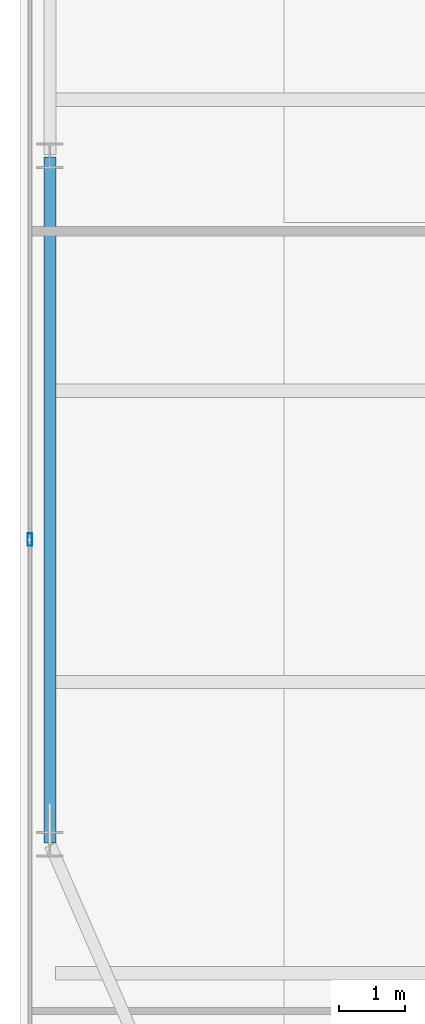
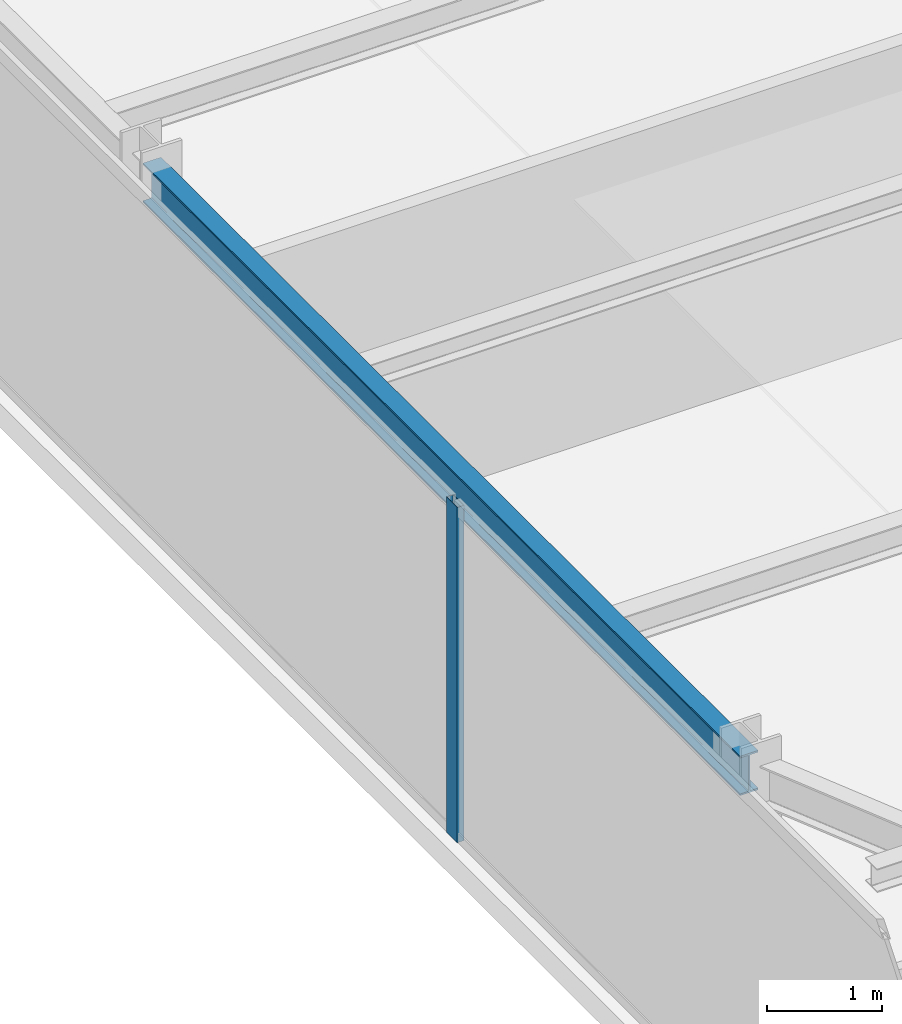
# One storey, part 8 of 36: 1 beam, 1 member, 1 element without a shape of its own.
"""IFC4 building model written with IfcOpenShell, lengths in metres."""

from ifc_helpers import new_model, si_unit, direction, frame, origin, origin_2d, place, context, subcontext, project, spatial, hollow_rectangle, i_section, extrude, source, transform, mapped, material, layer, layer_set, material_profile, profile_set, type_object, type_shapes, element, aggregate, save


model = new_model("IFC4")

# Units and contexts
model_context = context("Model", 3, precision=1e-05, world=origin(), true_north=direction((0.0, 1.0)))
body_context = subcontext(model_context, "Body", "Model", "MODEL_VIEW")
ifc_project = project(units=[si_unit("LENGTHUNIT", "METRE"), si_unit("AREAUNIT", "SQUARE_METRE"), si_unit("VOLUMEUNIT", "CUBIC_METRE"), si_unit("PLANEANGLEUNIT", "RADIAN"), si_unit("MASSUNIT", "GRAM", prefix="KILO")], contexts=[model_context])

# Site, building, storey
site_placement = place(None, origin())
site = spatial("IfcSite", under=ifc_project, at=site_placement, CompositionType="ELEMENT")
building_placement = place(site_placement, origin())
building = spatial("IfcBuilding", under=site, at=building_placement, Name="Varnel Quay Broadcast Tower", CompositionType="ELEMENT")
storey_placement = place(building_placement, frame((0.0, 0.0, 114.39990234375)))
storey = spatial("IfcBuildingStorey", under=building, at=storey_placement, Name="L27", CompositionType="ELEMENT", Elevation=114.39990234375)

# Beam
ifc_material_1 = material(Name="Structural Steel CSA G40.21 350W", Category="steel")
ifc_material_profile_1 = material_profile(ifc_material_1, i_section(OverallWidth=0.180908203125, OverallDepth=0.4169921875, WebThickness=0.010986328125, FlangeThickness=0.018310546875, FilletRadius=0.011962890625, at=origin_2d()), Name="W410X85")
ifc_profile_set_1 = profile_set([ifc_material_profile_1], Name="Structural Steel CSA G40.21 350W")
beam_type = type_object("IfcBeamType", Name="Beam_W410X85", PredefinedType="SPANDREL", material=ifc_profile_set_1)
shared_shape_1 = source(origin(), body_context, "Body", "SweptSolid", [
    extrude(i_section(OverallWidth=0.180908203125, OverallDepth=0.4169921875, WebThickness=0.010986328125, FlangeThickness=0.018310546875, FilletRadius=0.011962890625, at=origin_2d()), origin(), (0.0, 0.0, 1.0), 10.35986328125),
])
type_shapes(beam_type, [shared_shape_1])
beam_placement = place(storey_placement, frame((4.949951171875, 15.02001953125, 3.341552734375), z_axis=(0.0, 1.0, 0.0), x_axis=(-1.0, 0.0, 0.0)))
element("IfcBeam", 1, at=beam_placement, inside=storey, type_object=beam_type, Name="L27 West Spandrel TC-W1-TC-W2", PredefinedType="SPANDREL", context=body_context, shape_type="MappedRepresentation", body=[
    mapped(shared_shape_1, transform((0.0, 0.0, 0.0), x_axis=(1.0, 0.0, 0.0), y_axis=(0.0, 1.0, 0.0), z_axis=(0.0, 0.0, 1.0), scale=1.0)),
])

# Curtain wall, member
ifc_material_2 = material(Name="Anodised Bronze Aluminium 6063-T6", Category="aluminium")
ifc_layer = layer(ifc_material_2, 0.18994140625, Name="Anodised Bronze Aluminium 6063-T6")
ifc_layer_set = layer_set([ifc_layer], Name="Anodised Bronze Aluminium 6063-T6")
curtain_wall_type = type_object("IfcCurtainWallType", Name="CW_LowerTower", PredefinedType="NOTDEFINED", material=ifc_layer_set)
curtain_wall_placement = place(storey_placement, origin())
curtain_wall = element("IfcCurtainWall", 2, at=curtain_wall_placement, inside=storey, type_object=curtain_wall_type, Name="L27 West Unitised Curtain Wall", PredefinedType="NOTDEFINED")
ifc_material_profile_2 = material_profile(ifc_material_2, hollow_rectangle(XDim=0.070068359375, YDim=0.18994140625, WallThickness=0.00390625, at=origin_2d()), Name="ALU70X190X4")
ifc_profile_set_2 = profile_set([ifc_material_profile_2], Name="Anodised Bronze Aluminium 6063-T6")
member_type = type_object("IfcMemberType", Name="Mull_CWS-02", PredefinedType="MULLION", material=ifc_profile_set_2)
shared_shape_2 = source(origin(), body_context, "Body", "SweptSolid", [
    extrude(hollow_rectangle(XDim=0.070068359375, YDim=0.18994140625, WallThickness=0.00390625, at=origin_2d()), origin(), (0.0, 0.0, 1.0), 3.550048828125),
])
type_shapes(member_type, [shared_shape_2])
member_placement = place(storey_placement, frame((4.64990234375, 19.60009765625, 0.0), z_axis=(0.0, 0.0, 1.0), x_axis=(-1.0, 0.0, 0.0)))
member = element("IfcMember", 3, at=member_placement, type_object=member_type, Name="CWS-02 mullion 2", PredefinedType="MULLION", context=body_context, shape_type="MappedRepresentation", body=[
    mapped(shared_shape_2, transform((0.0, 0.0, 0.0), x_axis=(1.0, 0.0, 0.0), y_axis=(0.0, 1.0, 0.0), z_axis=(0.0, 0.0, 1.0), scale=1.0)),
])
aggregate(curtain_wall, [member])

save(model, "model.ifc")
